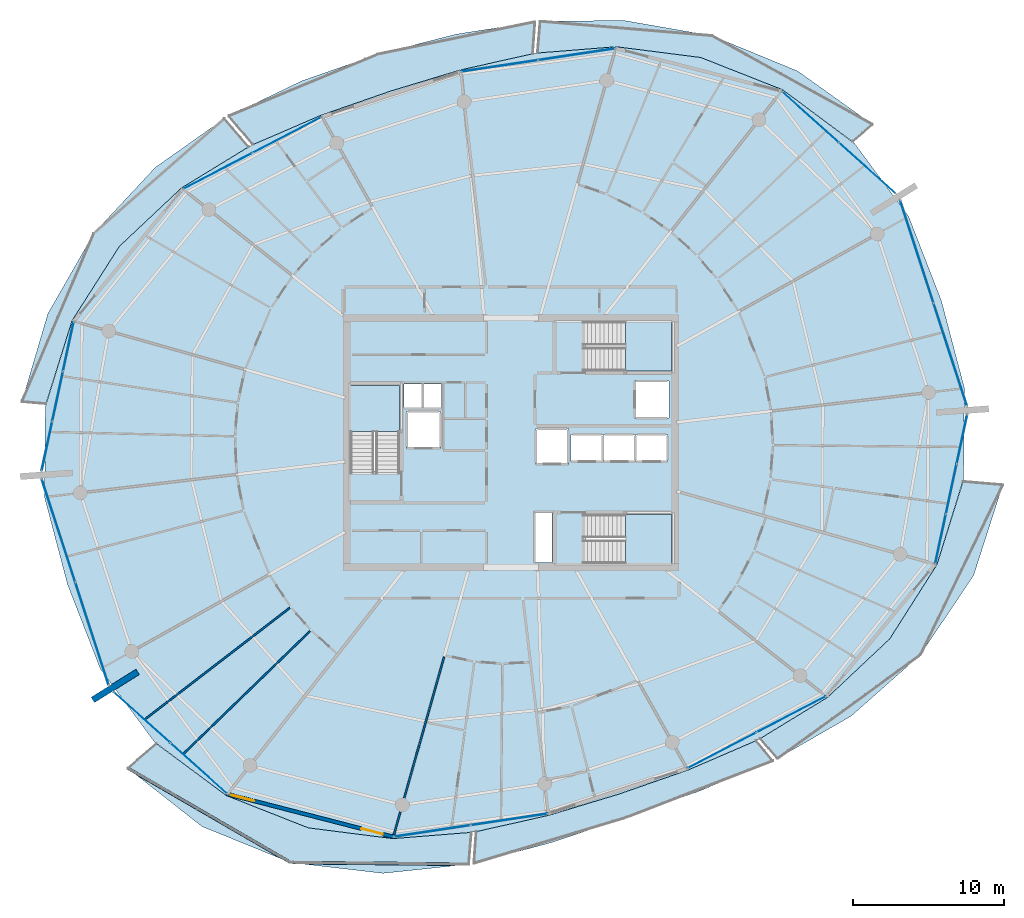
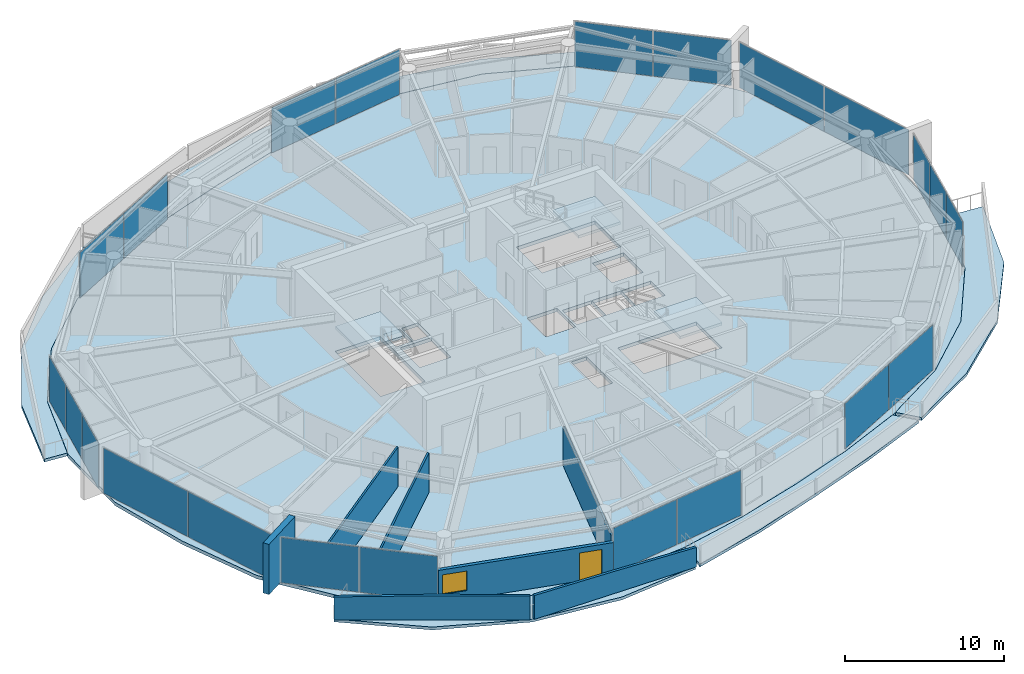
# One storey, part 17 of 31: 22 plates, 10 slabs, 7 walls, 1 door, 1 window, 2 openings, 13 elements without a shape of their own.
"""IFC4 building model written with IfcOpenShell, lengths in metres."""

from ifc_helpers import new_model, si_unit, direction, frame, frame_2d, origin, origin_2d, place, context, subcontext, project, spatial, polyline, rectangle, outline, extrude, material, layer, layer_set, type_object, element, fill, aggregate, save


model = new_model("IFC4")

# Units and contexts
model_context = context("Model", 3, precision=1e-05, world=origin(), true_north=direction((0.0, 1.0)))
body_context = subcontext(model_context, "Body", "Model", "MODEL_VIEW")
ifc_project = project(units=[si_unit("LENGTHUNIT", "METRE"), si_unit("AREAUNIT", "SQUARE_METRE"), si_unit("VOLUMEUNIT", "CUBIC_METRE"), si_unit("PLANEANGLEUNIT", "RADIAN"), si_unit("MASSUNIT", "GRAM", prefix="KILO")], contexts=[model_context])

# Site, building, storey
site_placement = place(None, origin())
site = spatial("IfcSite", under=ifc_project, at=site_placement, CompositionType="ELEMENT")
building_placement = place(site_placement, origin())
building = spatial("IfcBuilding", under=site, at=building_placement, Name="Kazma Halo Residences", CompositionType="ELEMENT")
storey_placement = place(building_placement, frame((0.0, 0.0, 275.199951171875)))
storey = spatial("IfcBuildingStorey", under=building, at=storey_placement, Name="L69", CompositionType="ELEMENT", Elevation=275.199951171875)

# Curtain wall, plates
ifc_material_1 = material(Name="Aluminium AW-6063 T6 and Triple-Silver Low-E Glass", Category="aluminium")
ifc_layer_1 = layer(ifc_material_1, 0.139892578125)
ifc_layer_set_1 = layer_set([ifc_layer_1], Name="Aluminium AW-6063 T6 and Triple-Silver Low-E Glass")
curtain_wall_type = type_object("IfcCurtainWallType", Name="CW-SYS-5", PredefinedType="NOTDEFINED", material=ifc_layer_set_1)
curtain_wall_1_placement = place(storey_placement, origin())
curtain_wall_1 = element("IfcCurtainWall", 1, at=curtain_wall_1_placement, inside=storey, type_object=curtain_wall_type, Name="L69 unitised curtain wall B01", PredefinedType="NOTDEFINED")
ifc_material_2 = material(Name="Clear Triple-Silver Low-E Glass IGU", Category="glass")
ifc_layer_2 = layer(ifc_material_2, 0.02587890625)
ifc_layer_set_2 = layer_set([ifc_layer_2], Name="Clear Triple-Silver Low-E Glass IGU")
plate_type = type_object("IfcPlateType", Name="CW-SYS-5-PNL", PredefinedType="CURTAIN_PANEL", material=ifc_layer_set_2)
plate_1_placement = place(storey_placement, frame((72.002685546875, 60.179443359375, 0.06005859375), z_axis=(0.0, 0.0, 1.0), x_axis=(-0.744336424671, 0.667804826958, 0.0)))
plate_1 = element("IfcPlate", 2, at=plate_1_placement, type_object=plate_type, Name="CWS-5 panel 1.1", PredefinedType="CURTAIN_PANEL", context=body_context, shape_type="SweptSolid", body=[
    extrude(rectangle(XDim=4.993408203125, YDim=0.02587890625, at=origin_2d()), origin(), (0.0, 0.0, 1.0), 3.469970703125),
])
plate_2_placement = place(storey_placement, frame((68.2412109375, 63.55419921875, 0.06005859375), z_axis=(0.0, 0.0, 1.0), x_axis=(-0.744336424671, 0.667804826958, 0.0)))
plate_2 = element("IfcPlate", 3, at=plate_2_placement, type_object=plate_type, Name="CWS-5 panel 2.1", PredefinedType="CURTAIN_PANEL", context=body_context, shape_type="SweptSolid", body=[
    extrude(rectangle(XDim=4.993408203125, YDim=0.02587890625, at=origin_2d()), origin(), (0.0, 0.0, 1.0), 3.469970703125),
])
aggregate(curtain_wall_1, [plate_1, plate_2])

curtain_wall_2_placement = place(storey_placement, origin())
curtain_wall_2 = element("IfcCurtainWall", 4, at=curtain_wall_2_placement, inside=storey, type_object=curtain_wall_type, Name="L69 unitised curtain wall B03", PredefinedType="NOTDEFINED")
plate_3_placement = place(storey_placement, frame((52.77783203125, 67.70361328125, 0.06005859375), z_axis=(0.0, 0.0, 1.0), x_axis=(-0.988882792998, -0.148697080374, 0.0)))
plate_3 = element("IfcPlate", 5, at=plate_3_placement, type_object=plate_type, Name="CWS-5 panel 1.1", PredefinedType="CURTAIN_PANEL", context=body_context, shape_type="SweptSolid", body=[
    extrude(rectangle(XDim=5.099853515625, YDim=0.02587890625, at=origin_2d()), origin(), (0.0, 0.0, 1.0), 3.469970703125),
])
plate_4_placement = place(storey_placement, frame((47.67529296875, 66.936279296875, 0.06005859375), z_axis=(0.0, 0.0, 1.0), x_axis=(-0.988882792998, -0.148697080374, 0.0)))
plate_4 = element("IfcPlate", 6, at=plate_4_placement, type_object=plate_type, Name="CWS-5 panel 2.1", PredefinedType="CURTAIN_PANEL", context=body_context, shape_type="SweptSolid", body=[
    extrude(rectangle(XDim=5.099853515625, YDim=0.02587890625, at=origin_2d()), origin(), (0.0, 0.0, 1.0), 3.469970703125),
])
aggregate(curtain_wall_2, [plate_3, plate_4])

curtain_wall_3_placement = place(storey_placement, origin())
curtain_wall_3 = element("IfcCurtainWall", 7, at=curtain_wall_3_placement, inside=storey, type_object=curtain_wall_type, Name="L69 unitised curtain wall B05", PredefinedType="NOTDEFINED")
plate_5_placement = place(storey_placement, frame((33.60546875, 62.36474609375, 0.06005859375), z_axis=(0.0, 0.0, 1.0), x_axis=(-0.887420518694, -0.460960760804, 0.0)))
plate_5 = element("IfcPlate", 8, at=plate_5_placement, type_object=plate_type, Name="CWS-5 panel 1.1", PredefinedType="CURTAIN_PANEL", context=body_context, shape_type="SweptSolid", body=[
    extrude(rectangle(XDim=5.099609375, YDim=0.02587890625, at=origin_2d()), origin(), (0.0, 0.0, 1.0), 3.469970703125),
])
plate_6_placement = place(storey_placement, frame((29.026611328125, 59.986328125, 0.06005859375), z_axis=(0.0, 0.0, 1.0), x_axis=(-0.887420518694, -0.460960760804, 0.0)))
plate_6 = element("IfcPlate", 9, at=plate_6_placement, type_object=plate_type, Name="CWS-5 panel 2.1", PredefinedType="CURTAIN_PANEL", context=body_context, shape_type="SweptSolid", body=[
    extrude(rectangle(XDim=5.099609375, YDim=0.02587890625, at=origin_2d()), origin(), (0.0, 0.0, 1.0), 3.469970703125),
])
aggregate(curtain_wall_3, [plate_5, plate_6])

curtain_wall_4_placement = place(storey_placement, origin())
curtain_wall_4 = element("IfcCurtainWall", 10, at=curtain_wall_4_placement, inside=storey, type_object=curtain_wall_type, Name="L69 unitised curtain wall B07", PredefinedType="NOTDEFINED")
plate_7_placement = place(storey_placement, frame((19.133056640625, 48.36865234375, 0.06005859375), z_axis=(0.0, 0.0, 1.0), x_axis=(-0.209657382603, -0.97777491373, 0.0)))
plate_7 = element("IfcPlate", 11, at=plate_7_placement, type_object=plate_type, Name="CWS-5 panel 1.1", PredefinedType="CURTAIN_PANEL", context=body_context, shape_type="SweptSolid", body=[
    extrude(rectangle(XDim=3.299072265625, YDim=0.02587890625, at=origin_2d()), origin(), (0.0, 0.0, 1.0), 3.469970703125),
])
plate_8_placement = place(storey_placement, frame((18.42578125, 45.069580078125, 0.06005859375), z_axis=(0.0, 0.0, 1.0), x_axis=(-0.209657382603, -0.97777491373, 0.0)))
plate_8 = element("IfcPlate", 12, at=plate_8_placement, type_object=plate_type, Name="CWS-5 panel 2.1", PredefinedType="CURTAIN_PANEL", context=body_context, shape_type="SweptSolid", body=[
    extrude(rectangle(XDim=3.3291015625, YDim=0.02587890625, at=origin_2d()), origin(), (0.0, 0.0, 1.0), 3.469970703125),
])
plate_9_placement = place(storey_placement, frame((17.71826171875, 41.7705078125, 0.06005859375), z_axis=(0.0, 0.0, 1.0), x_axis=(-0.209657382603, -0.97777491373, 0.0)))
plate_9 = element("IfcPlate", 13, at=plate_9_placement, type_object=plate_type, Name="CWS-5 panel 3.1", PredefinedType="CURTAIN_PANEL", context=body_context, shape_type="SweptSolid", body=[
    extrude(rectangle(XDim=3.299072265625, YDim=0.02587890625, at=origin_2d()), origin(), (0.0, 0.0, 1.0), 3.469970703125),
])
aggregate(curtain_wall_4, [plate_7, plate_8, plate_9])

curtain_wall_5_placement = place(storey_placement, origin())
curtain_wall_5 = element("IfcCurtainWall", 14, at=curtain_wall_5_placement, inside=storey, type_object=curtain_wall_type, Name="L69 unitised curtain wall B08", PredefinedType="NOTDEFINED")
plate_10_placement = place(storey_placement, frame((18.48486328125, 36.1787109375, 0.06005859375), z_axis=(0.0, 0.0, 1.0), x_axis=(0.309010998786, -0.951058464359, 0.0)))
plate_10 = element("IfcPlate", 15, at=plate_10_placement, type_object=plate_type, Name="CWS-5 panel 1.1", PredefinedType="CURTAIN_PANEL", context=body_context, shape_type="SweptSolid", body=[
    extrude(rectangle(XDim=7.108642578125, YDim=0.02587890625, at=origin_2d()), origin(), (0.0, 0.0, 1.0), 3.469970703125),
])
plate_11_placement = place(storey_placement, frame((20.699951171875, 29.36083984375, 0.06005859375), z_axis=(0.0, 0.0, 1.0), x_axis=(0.309010998786, -0.951058464359, 0.0)))
plate_11 = element("IfcPlate", 16, at=plate_11_placement, type_object=plate_type, Name="CWS-5 panel 2.1", PredefinedType="CURTAIN_PANEL", context=body_context, shape_type="SweptSolid", body=[
    extrude(rectangle(XDim=7.108642578125, YDim=0.02587890625, at=origin_2d()), origin(), (0.0, 0.0, 1.0), 3.469970703125),
])
aggregate(curtain_wall_5, [plate_10, plate_11])

curtain_wall_6_placement = place(storey_placement, origin())
curtain_wall_6 = element("IfcCurtainWall", 17, at=curtain_wall_6_placement, inside=storey, type_object=curtain_wall_type, Name="L69 unitised curtain wall B09", PredefinedType="NOTDEFINED")
plate_12_placement = place(storey_placement, frame((23.997314453125, 23.820556640625, 0.06005859375), z_axis=(0.0, 0.0, 1.0), x_axis=(0.744336424671, -0.667804826958, 0.0)))
plate_12 = element("IfcPlate", 18, at=plate_12_placement, type_object=plate_type, Name="CWS-5 panel 1.1", PredefinedType="CURTAIN_PANEL", context=body_context, shape_type="SweptSolid", body=[
    extrude(rectangle(XDim=4.993408203125, YDim=0.02587890625, at=origin_2d()), origin(), (0.0, 0.0, 1.0), 3.469970703125),
])
plate_13_placement = place(storey_placement, frame((27.7587890625, 20.44580078125, 0.06005859375), z_axis=(0.0, 0.0, 1.0), x_axis=(0.744336424671, -0.667804826958, 0.0)))
plate_13 = element("IfcPlate", 19, at=plate_13_placement, type_object=plate_type, Name="CWS-5 panel 2.1", PredefinedType="CURTAIN_PANEL", context=body_context, shape_type="SweptSolid", body=[
    extrude(rectangle(XDim=4.993408203125, YDim=0.02587890625, at=origin_2d()), origin(), (0.0, 0.0, 1.0), 3.469970703125),
])
aggregate(curtain_wall_6, [plate_12, plate_13])

curtain_wall_7_placement = place(storey_placement, origin())
curtain_wall_7 = element("IfcCurtainWall", 20, at=curtain_wall_7_placement, inside=storey, type_object=curtain_wall_type, Name="L69 unitised curtain wall B11", PredefinedType="NOTDEFINED")
plate_14_placement = place(storey_placement, frame((43.22216796875, 16.29638671875, 0.06005859375), z_axis=(0.0, 0.0, 1.0), x_axis=(0.988882792998, 0.148697080374, 0.0)))
plate_14 = element("IfcPlate", 21, at=plate_14_placement, type_object=plate_type, Name="CWS-5 panel 1.1", PredefinedType="CURTAIN_PANEL", context=body_context, shape_type="SweptSolid", body=[
    extrude(rectangle(XDim=5.099853515625, YDim=0.02587890625, at=origin_2d()), origin(), (0.0, 0.0, 1.0), 3.469970703125),
])
plate_15_placement = place(storey_placement, frame((48.32470703125, 17.063720703125, 0.06005859375), z_axis=(0.0, 0.0, 1.0), x_axis=(0.988882792998, 0.148697080374, 0.0)))
plate_15 = element("IfcPlate", 22, at=plate_15_placement, type_object=plate_type, Name="CWS-5 panel 2.1", PredefinedType="CURTAIN_PANEL", context=body_context, shape_type="SweptSolid", body=[
    extrude(rectangle(XDim=5.099853515625, YDim=0.02587890625, at=origin_2d()), origin(), (0.0, 0.0, 1.0), 3.469970703125),
])
aggregate(curtain_wall_7, [plate_14, plate_15])

curtain_wall_8_placement = place(storey_placement, origin())
curtain_wall_8 = element("IfcCurtainWall", 23, at=curtain_wall_8_placement, inside=storey, type_object=curtain_wall_type, Name="L69 unitised curtain wall B13", PredefinedType="NOTDEFINED")
plate_16_placement = place(storey_placement, frame((62.39453125, 21.63525390625, 0.06005859375), z_axis=(0.0, 0.0, 1.0), x_axis=(0.887420518694, 0.460960760804, 0.0)))
plate_16 = element("IfcPlate", 24, at=plate_16_placement, type_object=plate_type, Name="CWS-5 panel 1.1", PredefinedType="CURTAIN_PANEL", context=body_context, shape_type="SweptSolid", body=[
    extrude(rectangle(XDim=5.099609375, YDim=0.02587890625, at=origin_2d()), origin(), (0.0, 0.0, 1.0), 3.469970703125),
])
plate_17_placement = place(storey_placement, frame((66.973388671875, 24.013671875, 0.06005859375), z_axis=(0.0, 0.0, 1.0), x_axis=(0.887420518694, 0.460960760804, 0.0)))
plate_17 = element("IfcPlate", 25, at=plate_17_placement, type_object=plate_type, Name="CWS-5 panel 2.1", PredefinedType="CURTAIN_PANEL", context=body_context, shape_type="SweptSolid", body=[
    extrude(rectangle(XDim=5.099609375, YDim=0.02587890625, at=origin_2d()), origin(), (0.0, 0.0, 1.0), 3.469970703125),
])
aggregate(curtain_wall_8, [plate_16, plate_17])

curtain_wall_9_placement = place(storey_placement, origin())
curtain_wall_9 = element("IfcCurtainWall", 26, at=curtain_wall_9_placement, inside=storey, type_object=curtain_wall_type, Name="L69 unitised curtain wall B15", PredefinedType="NOTDEFINED")
plate_18_placement = place(storey_placement, frame((76.866943359375, 35.63134765625, 0.06005859375), z_axis=(0.0, 0.0, 1.0), x_axis=(0.209657382603, 0.97777491373, 0.0)))
plate_18 = element("IfcPlate", 27, at=plate_18_placement, type_object=plate_type, Name="CWS-5 panel 1.1", PredefinedType="CURTAIN_PANEL", context=body_context, shape_type="SweptSolid", body=[
    extrude(rectangle(XDim=3.299072265625, YDim=0.02587890625, at=origin_2d()), origin(), (0.0, 0.0, 1.0), 3.469970703125),
])
plate_19_placement = place(storey_placement, frame((77.57421875, 38.930419921875, 0.06005859375), z_axis=(0.0, 0.0, 1.0), x_axis=(0.209657382603, 0.97777491373, 0.0)))
plate_19 = element("IfcPlate", 28, at=plate_19_placement, type_object=plate_type, Name="CWS-5 panel 2.1", PredefinedType="CURTAIN_PANEL", context=body_context, shape_type="SweptSolid", body=[
    extrude(rectangle(XDim=3.3291015625, YDim=0.02587890625, at=origin_2d()), origin(), (0.0, 0.0, 1.0), 3.469970703125),
])
plate_20_placement = place(storey_placement, frame((78.28173828125, 42.2294921875, 0.06005859375), z_axis=(0.0, 0.0, 1.0), x_axis=(0.209657382603, 0.97777491373, 0.0)))
plate_20 = element("IfcPlate", 29, at=plate_20_placement, type_object=plate_type, Name="CWS-5 panel 3.1", PredefinedType="CURTAIN_PANEL", context=body_context, shape_type="SweptSolid", body=[
    extrude(rectangle(XDim=3.299072265625, YDim=0.02587890625, at=origin_2d()), origin(), (0.0, 0.0, 1.0), 3.469970703125),
])
aggregate(curtain_wall_9, [plate_18, plate_19, plate_20])

curtain_wall_10_placement = place(storey_placement, origin())
curtain_wall_10 = element("IfcCurtainWall", 30, at=curtain_wall_10_placement, inside=storey, type_object=curtain_wall_type, Name="L69 unitised curtain wall B16", PredefinedType="NOTDEFINED")
plate_21_placement = place(storey_placement, frame((77.51513671875, 47.8212890625, 0.06005859375), z_axis=(0.0, 0.0, 1.0), x_axis=(-0.309010998786, 0.951058464359, 0.0)))
plate_21 = element("IfcPlate", 31, at=plate_21_placement, type_object=plate_type, Name="CWS-5 panel 1.1", PredefinedType="CURTAIN_PANEL", context=body_context, shape_type="SweptSolid", body=[
    extrude(rectangle(XDim=7.108642578125, YDim=0.02587890625, at=origin_2d()), origin(), (0.0, 0.0, 1.0), 3.469970703125),
])
plate_22_placement = place(storey_placement, frame((75.300048828125, 54.63916015625, 0.06005859375), z_axis=(0.0, 0.0, 1.0), x_axis=(-0.309010998786, 0.951058464359, 0.0)))
plate_22 = element("IfcPlate", 32, at=plate_22_placement, type_object=plate_type, Name="CWS-5 panel 2.1", PredefinedType="CURTAIN_PANEL", context=body_context, shape_type="SweptSolid", body=[
    extrude(rectangle(XDim=7.108642578125, YDim=0.02587890625, at=origin_2d()), origin(), (0.0, 0.0, 1.0), 3.469970703125),
])
aggregate(curtain_wall_10, [plate_21, plate_22])

# Slabs
ifc_material_3 = material(Name="White Concrete C50/60", Category="concrete")
ifc_layer_3 = layer(ifc_material_3, 0.219970703125)
ifc_layer_set_3 = layer_set([ifc_layer_3], Name="White Concrete C50/60")
slab_type_1 = type_object("IfcSlabType", Name="SLB-BAL-WAVE-210", PredefinedType="FLOOR", material=ifc_layer_set_3)
slab_1_placement = place(storey_placement, frame((0.0, 0.0, -0.219970703125)))
element("IfcSlab", 33, at=slab_1_placement, inside=storey, type_object=slab_type_1, Name="L69 NE cantilevered wave balcony slab", PredefinedType="FLOOR", context=body_context, shape_type="SweptSolid", body=[
    extrude(outline(polyline([(71.0400390625, 61.9228515625), (66.41357421875, 65.357421875), (60.990478515625, 67.49560546875), (55.3916015625, 68.208984375), (50.188720703125, 67.794189453125), (50.3662109375, 69.887451171875), (55.8828125, 69.9501953125), (61.72509765625, 68.936767578125), (67.396484375, 66.6044921875), (72.361083984375, 63.065185546875), (71.0400390625, 61.9228515625)])), origin(), (0.0, 0.0, 1.0), 0.219970703125),
])
slab_2_placement = place(storey_placement, frame((0.0, 0.0, -0.219970703125)))
element("IfcSlab", 34, at=slab_2_placement, inside=storey, type_object=slab_type_1, Name="L69 NNW cantilevered wave balcony slab", PredefinedType="FLOOR", context=body_context, shape_type="SweptSolid", body=[
    extrude(outline(polyline([(49.8681640625, 67.74609375), (45.080078125, 66.66943359375), (40.43994140625, 65.267333984375), (35.86181640625, 63.67431640625), (31.35546875, 61.731201171875), (29.756591796875, 63.62646484375), (34.58740234375, 65.94970703125), (39.643310546875, 67.719482421875), (44.799560546875, 69.039794921875), (50.02099609375, 69.85546875), (49.8681640625, 67.74609375)])), origin(), (0.0, 0.0, 1.0), 0.219970703125),
])
slab_3_placement = place(storey_placement, frame((0.0, 0.0, -0.219970703125)))
element("IfcSlab", 35, at=slab_3_placement, inside=storey, type_object=slab_type_1, Name="L69 NW cantilevered wave balcony slab", PredefinedType="FLOOR", context=body_context, shape_type="SweptSolid", body=[
    extrude(outline(polyline([(31.06787109375, 61.58154296875), (26.614501953125, 58.85888671875), (22.50439453125, 54.990478515625), (19.3740234375, 50.0732421875), (17.64990234375, 44.5751953125), (16.0546875, 44.710693359375), (17.77099609375, 50.525390625), (20.8125, 55.852783203125), (24.887451171875, 60.220458984375), (29.45166015625, 63.45068359375), (31.06787109375, 61.58154296875)])), origin(), (0.0, 0.0, 1.0), 0.219970703125),
])
slab_4_placement = place(storey_placement, frame((0.0, 0.0, -0.219970703125)))
element("IfcSlab", 36, at=slab_4_placement, inside=storey, type_object=slab_type_1, Name="L69 SW cantilevered wave balcony slab", PredefinedType="FLOOR", context=body_context, shape_type="SweptSolid", body=[
    extrude(outline(polyline([(24.9599609375, 22.0771484375), (29.58642578125, 18.642578125), (35.009521484375, 16.50439453125), (40.6083984375, 15.791015625), (45.811279296875, 16.205810546875), (45.632080078125, 14.093505859375), (39.96044921875, 13.49365234375), (33.8388671875, 14.20703125), (27.971923828125, 16.594482421875), (23.072509765625, 20.445068359375), (24.9599609375, 22.0771484375)])), origin(), (0.0, 0.0, 1.0), 0.219970703125),
])
slab_5_placement = place(storey_placement, frame((0.0, 0.0, -0.219970703125)))
element("IfcSlab", 37, at=slab_5_placement, inside=storey, type_object=slab_type_1, Name="L69 SSE cantilevered wave balcony slab", PredefinedType="FLOOR", context=body_context, shape_type="SweptSolid", body=[
    extrude(outline(polyline([(46.1318359375, 16.25390625), (50.919921875, 17.33056640625), (55.56005859375, 18.732666015625), (60.13818359375, 20.32568359375), (64.64453125, 22.268798828125), (65.7607421875, 20.94580078125), (60.9140625, 18.940185546875), (56.059814453125, 17.194091796875), (51.132568359375, 15.533935546875), (45.980224609375, 14.16357421875), (46.1318359375, 16.25390625)])), origin(), (0.0, 0.0, 1.0), 0.219970703125),
])
slab_6_placement = place(storey_placement, frame((0.0, 0.0, -0.219970703125)))
element("IfcSlab", 38, at=slab_6_placement, inside=storey, type_object=slab_type_1, Name="L69 SE cantilevered wave balcony slab", PredefinedType="FLOOR", context=body_context, shape_type="SweptSolid", body=[
    extrude(outline(polyline([(64.93212890625, 22.41845703125), (69.385498046875, 25.14111328125), (73.49560546875, 29.009521484375), (76.6259765625, 33.9267578125), (78.35009765625, 39.4248046875), (80.9814453125, 39.201416015625), (79.061279296875, 33.23974609375), (75.5419921875, 27.966552734375), (70.953369140625, 23.905029296875), (66.076416015625, 21.09521484375), (64.93212890625, 22.41845703125)])), origin(), (0.0, 0.0, 1.0), 0.219970703125),
])
ifc_material_4 = material(Name="Concrete C50/60", Category="concrete")
ifc_layer_4 = layer(ifc_material_4, 0.260009765625)
ifc_layer_set_4 = layer_set([ifc_layer_4], Name="Concrete C50/60")
slab_type_2 = type_object("IfcSlabType", Name="SLB-RES-260", PredefinedType="FLOOR", material=ifc_layer_set_4)
slab_7_placement = place(storey_placement, frame((0.0, 0.0, -0.260009765625)))
element("IfcSlab", 39, at=slab_7_placement, inside=storey, type_object=slab_type_2, Name="L69 structural floor slab", PredefinedType="FLOOR", context=body_context, shape_type="SweptSolid", body=[
    extrude(outline(polyline([(76.9189453125, 51.396240234375), (74.749755859375, 56.980712890625), (71.180419921875, 61.7978515625), (66.412109375, 65.355712890625), (60.98974609375, 67.49365234375), (55.39111328125, 68.207275390625), (50.02880859375, 67.7783203125), (45.080322265625, 66.66748046875), (40.440673828125, 65.265380859375), (35.86279296875, 63.672607421875), (31.20654296875, 61.66259765625), (26.6162109375, 58.857666015625), (22.50634765625, 54.98974609375), (19.3759765625, 50.07275390625), (17.60986328125, 44.391845703125), (17.5537109375, 38.396484375), (19.0810546875, 32.603759765625), (21.250244140625, 27.019287109375), (24.819580078125, 22.2021484375), (29.587890625, 18.644287109375), (35.01025390625, 16.50634765625), (40.60888671875, 15.792724609375), (45.97119140625, 16.2216796875), (50.919677734375, 17.33251953125), (55.559326171875, 18.734619140625), (60.13720703125, 20.327392578125), (64.79345703125, 22.33740234375), (69.3837890625, 25.142333984375), (73.49365234375, 29.01025390625), (76.6240234375, 33.92724609375), (78.39013671875, 39.608154296875), (78.4462890625, 45.603515625), (76.9189453125, 51.396240234375)]), holes=[polyline([(37.800048828125, 40.110107421875), (41.050048828125, 40.110107421875), (41.050048828125, 45.800048828125), (37.800048828125, 45.800048828125), (37.800048828125, 40.110107421875)]), polyline([(53.360107421875, 46.75), (59.050048828125, 46.75), (59.050048828125, 50.0), (53.360107421875, 50.0), (53.360107421875, 46.75)]), polyline([(53.360107421875, 34.0), (59.050048828125, 34.0), (59.050048828125, 37.25), (53.360107421875, 37.25), (53.360107421875, 34.0)]), polyline([(41.52001953125, 41.6201171875), (43.780029296875, 41.6201171875), (43.780029296875, 44.080078125), (41.52001953125, 44.080078125), (41.52001953125, 41.6201171875)]), polyline([(56.6201171875, 43.6201171875), (58.8798828125, 43.6201171875), (58.8798828125, 46.080078125), (56.6201171875, 46.080078125), (56.6201171875, 43.6201171875)]), polyline([(52.39501953125, 40.7451171875), (54.5048828125, 40.7451171875), (54.5048828125, 42.554931640625), (52.39501953125, 42.554931640625), (52.39501953125, 40.7451171875)]), polyline([(54.544921875, 40.7451171875), (56.655029296875, 40.7451171875), (56.655029296875, 42.554931640625), (54.544921875, 42.554931640625), (54.544921875, 40.7451171875)]), polyline([(56.695068359375, 40.7451171875), (58.804931640625, 40.7451171875), (58.804931640625, 42.554931640625), (56.695068359375, 42.554931640625), (56.695068359375, 40.7451171875)]), polyline([(50.070068359375, 40.570068359375), (52.22998046875, 40.570068359375), (52.22998046875, 42.929931640625), (50.070068359375, 42.929931640625), (50.070068359375, 40.570068359375)]), polyline([(41.360107421875, 44.340087890625), (42.5400390625, 44.340087890625), (42.5400390625, 45.89990234375), (41.360107421875, 45.89990234375), (41.360107421875, 44.340087890625)]), polyline([(42.659912109375, 44.340087890625), (43.840087890625, 44.340087890625), (43.840087890625, 45.89990234375), (42.659912109375, 45.89990234375), (42.659912109375, 44.340087890625)]), polyline([(50.06005859375, 34.080078125), (51.159912109375, 34.080078125), (51.159912109375, 37.3798828125), (50.06005859375, 37.3798828125), (50.06005859375, 34.080078125)])]), origin(), (0.0, 0.0, 1.0), 0.260009765625),
])

# Stair, slab
stair_type = type_object("IfcStairType", Name="STR-RES2", PredefinedType="HALF_TURN_STAIR", material=ifc_material_4)
stair_1_placement = place(storey_placement, origin())
stair_1 = element("IfcStair", 40, at=stair_1_placement, inside=storey, type_object=stair_type, Name="L69 Core exit stair ST-01", PredefinedType="HALF_TURN_STAIR")
ifc_layer_5 = layer(ifc_material_4, 0.199951171875)
ifc_layer_set_5 = layer_set([ifc_layer_5], Name="Concrete C50/60")
slab_type_3 = type_object("IfcSlabType", Name="SLB-STAIR-LND-200", PredefinedType="LANDING", material=ifc_layer_set_5)
slab_8_placement = place(storey_placement, frame((0.0, 0.0, 1.72509765625)))
slab_8 = element("IfcSlab", 41, at=slab_8_placement, type_object=slab_type_3, Name="ST-01 landing 1", PredefinedType="LANDING", context=body_context, shape_type="SweptSolid", body=[
    extrude(outline(polyline([(41.050048828125, 42.75), (41.050048828125, 45.800048828125), (37.800048828125, 45.800048828125), (37.800048828125, 42.75), (41.050048828125, 42.75)])), origin(), (0.0, 0.0, 1.0), 0.199951171875),
])
aggregate(stair_1, [slab_8])

stair_2_placement = place(storey_placement, origin())
stair_2 = element("IfcStair", 42, at=stair_2_placement, inside=storey, type_object=stair_type, Name="L69 Core exit stair ST-02", PredefinedType="HALF_TURN_STAIR")
slab_9_placement = place(storey_placement, frame((0.0, 0.0, 1.72509765625)))
slab_9 = element("IfcSlab", 43, at=slab_9_placement, type_object=slab_type_3, Name="ST-02 landing 1", PredefinedType="LANDING", context=body_context, shape_type="SweptSolid", body=[
    extrude(outline(polyline([(56.0, 46.75), (59.050048828125, 46.75), (59.050048828125, 50.0), (56.0, 50.0), (56.0, 46.75)])), origin(), (0.0, 0.0, 1.0), 0.199951171875),
])
aggregate(stair_2, [slab_9])

stair_3_placement = place(storey_placement, origin())
stair_3 = element("IfcStair", 44, at=stair_3_placement, inside=storey, type_object=stair_type, Name="L69 Core exit stair ST-03", PredefinedType="HALF_TURN_STAIR")
slab_10_placement = place(storey_placement, frame((0.0, 0.0, 1.72509765625)))
slab_10 = element("IfcSlab", 45, at=slab_10_placement, type_object=slab_type_3, Name="ST-03 landing 1", PredefinedType="LANDING", context=body_context, shape_type="SweptSolid", body=[
    extrude(outline(polyline([(56.0, 34.0), (59.050048828125, 34.0), (59.050048828125, 37.25), (56.0, 37.25), (56.0, 34.0)])), origin(), (0.0, 0.0, 1.0), 0.199951171875),
])
aggregate(stair_3, [slab_10])

# Walls
ifc_material_5 = material(Name="White Concrete C50/60 Balustrade", Category="concrete")
ifc_layer_6 = layer(ifc_material_5, 0.179931640625)
ifc_layer_set_6 = layer_set([ifc_layer_6], Name="White Concrete C50/60 Balustrade")
wall_type_1 = type_object("IfcWallType", Name="WL-BAL-WAVE-180", PredefinedType="PARAPET", material=ifc_layer_set_6)
wall_1_placement = place(storey_placement, frame((23.072509765625, 20.445068359375, 0.0), z_axis=(0.0, 0.0, 1.0), x_axis=(0.865262565506, -0.501318953097, 0.0)))
element("IfcWall", 46, at=wall_1_placement, inside=storey, type_object=wall_type_1, Name="L69 white wave balustrade wall SW.1", PredefinedType="PARAPET", context=body_context, shape_type="SweptSolid", body=[
    extrude(outline(polyline([(0.0, 0.0), (12.322998046875, 0.0), (12.322998046875, 1.83203125), (6.16162109375, 1.85302734375), (0.0, 1.756103515625), (0.0, 0.0)])), frame((0.0, 0.08984375, 0.0), z_axis=(0.0, -1.0, 0.0), x_axis=(1.0, 0.0, 0.0)), (0.0, 0.0, 1.0), 0.179931640625),
])
wall_2_placement = place(storey_placement, frame((33.958740234375, 14.205810546875, 0.0), z_axis=(0.0, 0.0, 1.0), x_axis=(0.999953725113, -0.009620168017, 0.0)))
element("IfcWall", 47, at=wall_2_placement, inside=storey, type_object=wall_type_1, Name="L69 white wave balustrade wall SW.2", PredefinedType="PARAPET", context=body_context, shape_type="SweptSolid", body=[
    extrude(outline(polyline([(0.0, 0.0), (11.673828125, 0.0), (11.673828125, 1.4970703125), (5.8369140625, 1.696044921875), (0.0, 1.83203125), (0.0, 0.0)])), frame((0.0, 0.08984375, 0.0), z_axis=(0.0, -1.0, 0.0), x_axis=(1.0, 0.0, 0.0)), (0.0, 0.0, 1.0), 0.179931640625),
])
ifc_material_6 = material(Name="Pale Concrete C60/75", Category="concrete")
ifc_layer_7 = layer(ifc_material_6, 0.419921875)
ifc_layer_set_7 = layer_set([ifc_layer_7], Name="Pale Concrete C60/75")
wall_type_2 = type_object("IfcWallType", Name="WL-BLADE-420", PredefinedType="SOLIDWALL", material=ifc_layer_set_7)
wall_3_placement = place(storey_placement, frame((23.718505859375, 26.827392578125, 0.0), z_axis=(0.0, 0.0, 1.0), x_axis=(-0.848033572426, -0.529942506352, 0.0)))
element("IfcWall", 48, at=wall_3_placement, inside=storey, type_object=wall_type_2, Name="L69 pale concrete structural blade fin wall BW-03", PredefinedType="SOLIDWALL", context=body_context, shape_type="SweptSolid", body=[
    extrude(rectangle(XDim=3.5, YDim=0.419921875, at=frame_2d((1.75, 0.0))), origin(), (0.0, 0.0, 1.0), 3.85009765625),
])

# Wall, openings, door, window
ifc_material_7 = material(Name="Insulated Pale-Metal Composite Wall")
ifc_layer_8 = layer(ifc_material_7, 0.239990234375)
ifc_layer_set_8 = layer_set([ifc_layer_8], Name="Insulated Pale-Metal Composite Wall")
wall_type_3 = type_object("IfcWallType", Name="WL-EXT-HOST-240", PredefinedType="SOLIDWALL", material=ifc_layer_set_8)
wall_4_placement = place(storey_placement, frame((29.613525390625, 18.7509765625, 0.0), z_axis=(0.0, 0.0, 1.0), x_axis=(0.968343758421, -0.249620442927, 0.0)))
wall_4 = element("IfcWall", 49, at=wall_4_placement, inside=storey, type_object=wall_type_3, Name="L69 exterior terrace-access wall B10", PredefinedType="SOLIDWALL", context=body_context, shape_type="SweptSolid", body=[
    extrude(rectangle(XDim=11.438232421875, YDim=0.239990234375, at=frame_2d((5.71923828125, 0.0))), origin(), (0.0, 0.0, 1.0), 2.5400390625),
])
opening_1_placement = place(wall_4_placement, frame((9.21826171875, 0.0, 0.0)))
opening_1 = element("IfcOpeningElement", 50, at=opening_1_placement, cuts=wall_4, Name="Opening DTR-1600", PredefinedType="OPENING", context=body_context, shape_type="SweptSolid", body=[
    extrude(rectangle(XDim=1.449951171875, YDim=2.14990234375, at=frame_2d((0.72509765625, 1.074951171875))), frame((0.0, 0.1298828125, 0.0), z_axis=(0.0, -1.0, 0.0), x_axis=(1.0, 0.0, 0.0)), (0.0, 0.0, 1.0), 0.260009765625),
])
opening_2_placement = place(wall_4_placement, frame((0.280029296875, 0.0, 0.64990234375)))
opening_2 = element("IfcOpeningElement", 51, at=opening_2_placement, cuts=wall_4, Name="Opening W-1800", PredefinedType="OPENING", context=body_context, shape_type="SweptSolid", body=[
    extrude(rectangle(XDim=1.60009765625, YDim=1.5, at=frame_2d((0.800048828125, 0.75))), frame((0.0, 0.1298828125, 0.0), z_axis=(0.0, -1.0, 0.0), x_axis=(1.0, 0.0, 0.0)), (0.0, 0.0, 1.0), 0.260009765625),
])
ifc_material_8 = material(Name="Aluminium AW-6063 T6 Double-Glazed Terrace Door", Category="aluminium")
door_type = type_object("IfcDoorType", Name="DR-EXT-TERR-1600", OperationType="NOTDEFINED", PredefinedType="DOOR", material=ifc_material_8)
door_placement = place(opening_1_placement, origin())
door = element("IfcDoor", 52, at=door_placement, inside=storey, type_object=door_type, Name="L69 B10 balcony terrace door", OperationType="DOUBLE_DOOR_SLIDING", OverallHeight=2.14990234375, OverallWidth=1.449951171875, PredefinedType="DOOR", context=body_context, shape_type="SweptSolid", body=[
    extrude(rectangle(XDim=1.449951171875, YDim=2.14990234375, at=frame_2d((0.72509765625, 1.074951171875))), frame((0.0, 0.02490234375, 0.0), z_axis=(0.0, -1.0, 0.0), x_axis=(1.0, 0.0, 0.0)), (0.0, 0.0, 1.0), 0.050048828125),
])
fill(opening_1, door)
ifc_material_9 = material(Name="Clear Triple-Silver Low-E Glass in Aluminium AW-6063 T6 Frame", Category="aluminium")
window_type = type_object("IfcWindowType", Name="WIN-RES-1800", PartitioningType="DOUBLE_PANEL_VERTICAL", PredefinedType="WINDOW", material=ifc_material_9)
window_placement = place(opening_2_placement, origin())
window = element("IfcWindow", 53, at=window_placement, inside=storey, type_object=window_type, Name="L69 B10 apartment window", OverallHeight=1.5, OverallWidth=1.60009765625, PartitioningType="SINGLE_PANEL", PredefinedType="WINDOW", context=body_context, shape_type="SweptSolid", body=[
    extrude(rectangle(XDim=1.60009765625, YDim=1.5, at=frame_2d((0.800048828125, 0.75))), frame((0.0, 0.030029296875, 0.0), z_axis=(0.0, -1.0, 0.0), x_axis=(1.0, 0.0, 0.0)), (0.0, 0.0, 1.0), 0.06005859375),
])
fill(opening_2, window)

# Walls
ifc_material_10 = material(Name="Gypsum Plasterboard Partition")
ifc_layer_9 = layer(ifc_material_10, 0.125)
ifc_layer_set_9 = layer_set([ifc_layer_9], Name="Gypsum Plasterboard Partition")
wall_type_4 = type_object("IfcWallType", Name="WL-PART-125", PredefinedType="PARTITIONING", material=ifc_layer_set_9)
wall_5_placement = place(storey_placement, frame((33.787841796875, 31.065185546875, 0.0), z_axis=(0.0, 0.0, 1.0), x_axis=(-0.792555782664, -0.609799418962, 0.0)))
element("IfcWall", 54, at=wall_5_placement, inside=storey, type_object=wall_type_4, Name="L69 Apartment 1 bay wall 1 8", PredefinedType="PARTITIONING", context=body_context, shape_type="SweptSolid", body=[
    extrude(rectangle(XDim=12.10986328125, YDim=0.125, at=frame_2d((6.054931640625, 0.0))), origin(), (0.0, 0.0, 1.0), 3.030029296875),
])
wall_6_placement = place(storey_placement, frame((35.12255859375, 29.52099609375, 0.0), z_axis=(0.0, 0.0, 1.0), x_axis=(-0.718122654742, -0.695916555879, 0.0)))
element("IfcWall", 55, at=wall_6_placement, inside=storey, type_object=wall_type_4, Name="L69 Apartment 1 bay wall 2 8", PredefinedType="PARTITIONING", context=body_context, shape_type="SweptSolid", body=[
    extrude(rectangle(XDim=11.676025390625, YDim=0.125, at=frame_2d((5.837890625, 0.0))), origin(), (0.0, 0.0, 1.0), 3.030029296875),
])
wall_7_placement = place(storey_placement, frame((44.0, 27.8173828125, 0.0), z_axis=(0.0, 0.0, 1.0), x_axis=(-0.271434127064, -0.962457019646, 0.0)))
element("IfcWall", 56, at=wall_7_placement, inside=storey, type_object=wall_type_4, Name="L69 Apartment 2 radial partition 10", PredefinedType="PARTITIONING", context=body_context, shape_type="SweptSolid", body=[
    extrude(rectangle(XDim=12.248779296875, YDim=0.125, at=frame_2d((6.12451171875, 0.0))), origin(), (0.0, 0.0, 1.0), 2.95703125),
])

save(model, "model.ifc")
